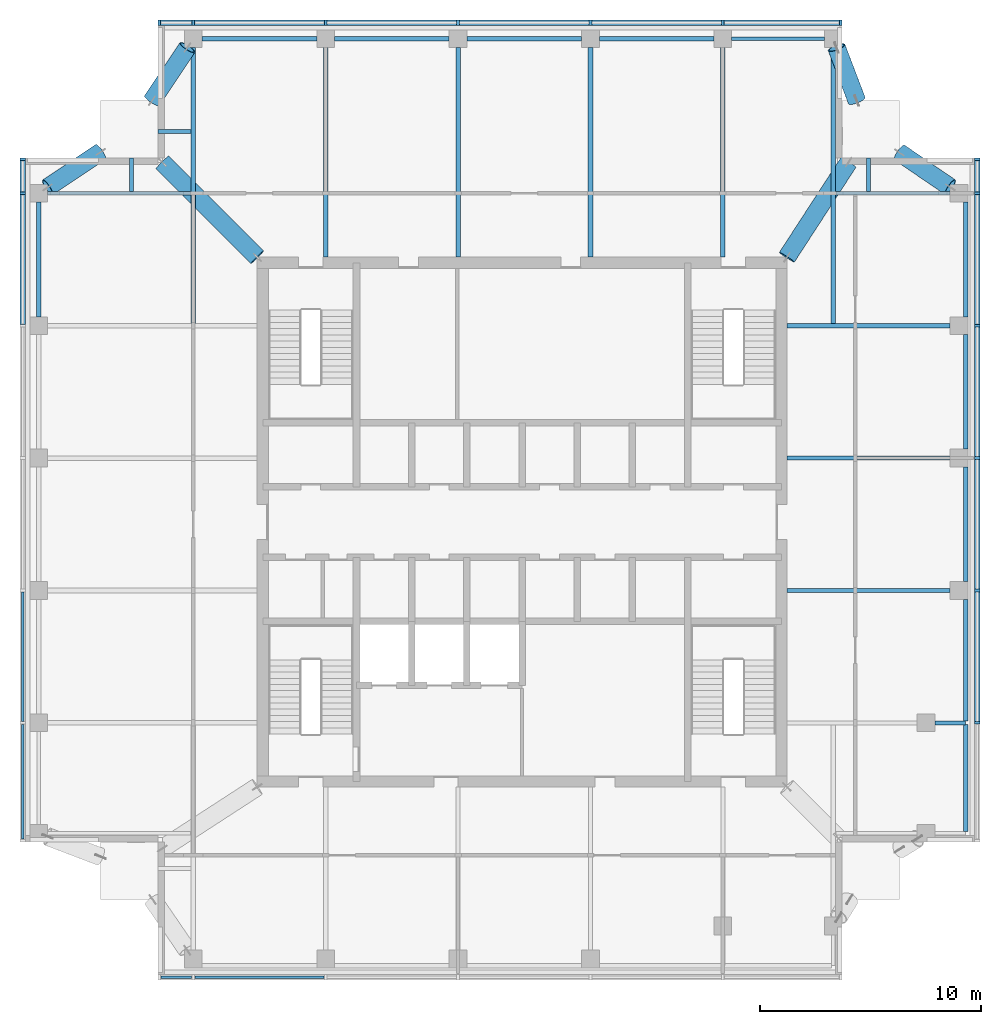
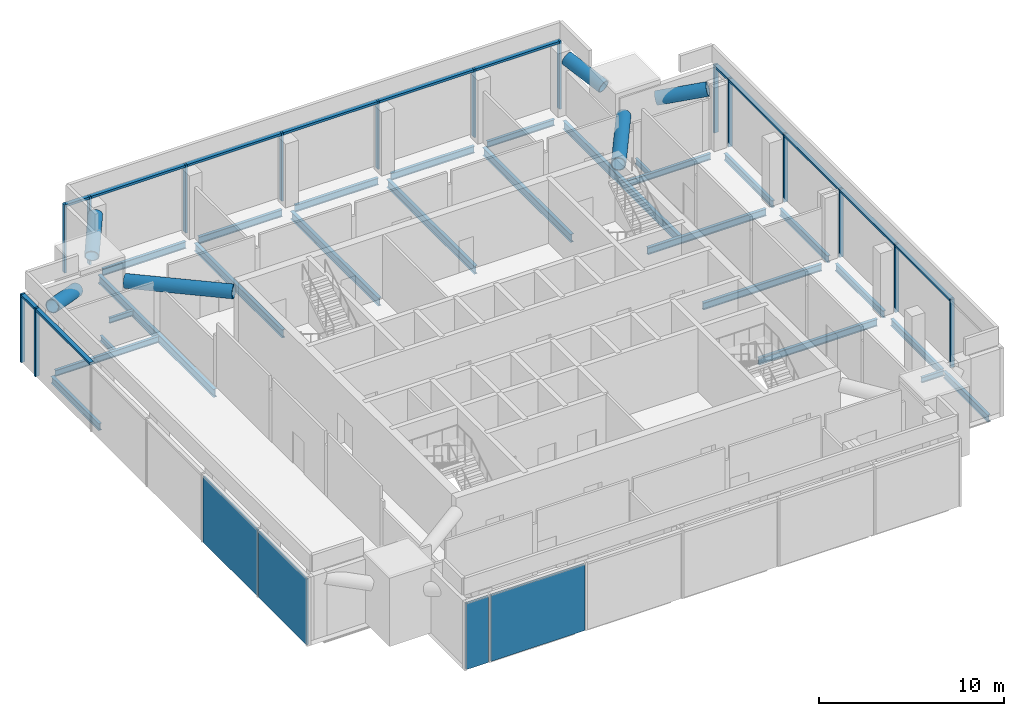
# One storey, part 2 of 11: 34 members, 26 beams, 4 plates, 4 elements without a shape of their own.
"""IFC4 building model written with IfcOpenShell, lengths in metres."""

from ifc_helpers import new_model, si_unit, direction, frame, origin, origin_2d, place, context, subcontext, project, spatial, rectangle, hollow_circle, i_section, extrude, material, layer, layer_set, material_profile, profile_set, type_object, element, aggregate, save


model = new_model("IFC4")

# Units and contexts
model_context = context("Model", 3, precision=1e-05, world=origin(), true_north=direction((0.0, 1.0)))
body_context = subcontext(model_context, "Body", "Model", "MODEL_VIEW")
ifc_project = project(units=[si_unit("LENGTHUNIT", "METRE"), si_unit("AREAUNIT", "SQUARE_METRE"), si_unit("VOLUMEUNIT", "CUBIC_METRE"), si_unit("PLANEANGLEUNIT", "RADIAN"), si_unit("MASSUNIT", "GRAM", prefix="KILO")], contexts=[model_context])

# Site, building, storey
site_placement = place(None, origin())
site = spatial("IfcSite", under=ifc_project, at=site_placement, CompositionType="ELEMENT")
building_placement = place(site_placement, origin())
building = spatial("IfcBuilding", under=site, at=building_placement, Name="Amberfall Residences", CompositionType="ELEMENT")
storey_placement = place(building_placement, frame((0.0, 0.0, 286.300048828125)))
storey = spatial("IfcBuildingStorey", under=building, at=storey_placement, Name="L77 Crown", CompositionType="ELEMENT", Elevation=286.300048828125)

# Members
ifc_material_1 = material(Name="Steel S355", Category="steel")
ifc_material_profile_1 = material_profile(ifc_material_1, hollow_circle(Radius=0.406494140625, WallThickness=0.050048828125, at=origin_2d()), Name="CHS 813x50")
ifc_profile_set_1 = profile_set([ifc_material_profile_1], Name="Steel S355")
member_type_1 = type_object("IfcMemberType", Name="Belt truss diagonal BT CHS 813x50", PredefinedType="BRACE", material=ifc_profile_set_1)
member_1_placement = place(storey_placement, frame((89.666748046875, 64.60009765625, 3.0), z_axis=(-0.342001732125, 0.897697470437, 0.277802208044), x_axis=(-0.934480204889, -0.356015093317, 0.0)))
element("IfcMember", 1, at=member_1_placement, inside=storey, type_object=member_type_1, Name="Belt truss diagonal BT5 L77 Crown NEN", PredefinedType="BRACE", context=body_context, shape_type="SweptSolid", body=[
    extrude(hollow_circle(Radius=0.406494140625, WallThickness=0.050048828125, at=origin_2d()), origin(), (0.0, 0.0, 1.0), 2.67333984375),
])
member_2_placement = place(storey_placement, frame((91.60009765625, 62.243896484375, 3.0), z_axis=(0.797885394177, -0.544967582392, 0.257661079521), x_axis=(0.564011218979, 0.825767125082, 0.0)))
element("IfcMember", 2, at=member_2_placement, inside=storey, type_object=member_type_1, Name="Belt truss diagonal BT5 L77 Crown NEE", PredefinedType="BRACE", context=body_context, shape_type="SweptSolid", body=[
    extrude(hollow_circle(Radius=0.406494140625, WallThickness=0.050048828125, at=origin_2d()), origin(), (0.0, 0.0, 1.0), 2.88232421875),
])
for number, where, z_axis, x_axis, name in (
    (3, (57.7333984375, 64.60009765625, 3.0), (0.537159166514, 0.805779735516, 0.249357269119), (-0.832063316463, 0.554680662541, 0.0), "Belt truss diagonal BT5 L77 Crown NWN"),
    (4, (55.39990234375, 62.2666015625, 3.0), (-0.805779735516, -0.537159166514, 0.249357269119), (0.554680662541, -0.832063316463, 0.0), "Belt truss diagonal BT5 L77 Crown NWW"),
):
    element("IfcMember", number, at=place(storey_placement, frame(where, z_axis=z_axis, x_axis=x_axis)), inside=storey, type_object=member_type_1, Name=name, PredefinedType="BRACE", context=body_context, shape_type="SweptSolid", body=[
        extrude(hollow_circle(Radius=0.406494140625, WallThickness=0.050048828125, at=origin_2d()), origin(), (0.0, 0.0, 1.0), 2.978271484375),
    ])

# Curtain wall, members
ifc_material_2 = material(Name="Bronze anodised aluminium and glass", Category="aluminium")
curtain_wall_type = type_object("IfcCurtainWallType", Name="Curtain wall CW6 crown louvre", PredefinedType="USERDEFINED", material=ifc_material_2)
curtain_wall_1_placement = place(storey_placement, origin())
curtain_wall_1 = element("IfcCurtainWall", 5, at=curtain_wall_1_placement, inside=storey, type_object=curtain_wall_type, Name="Curtain wall L77 Crown E E1", ObjectType="UNITISED CURTAIN WALL", PredefinedType="USERDEFINED")
ifc_material_3 = material(Name="Bronze anodised aluminium", Category="aluminium")
ifc_material_profile_2 = material_profile(ifc_material_3, rectangle(XDim=0.25, YDim=0.1201171875, at=origin_2d()), Name="CW6 mullion 120 x 250 bronze")
ifc_profile_set_2 = profile_set([ifc_material_profile_2], Name="Bronze anodised aluminium")
member_type_2 = type_object("IfcMemberType", Name="CW6 mullion 120 x 250 bronze", PredefinedType="MULLION", material=ifc_profile_set_2)
member_3_placement = place(storey_placement, frame((95.125, 36.39990234375, -0.300048828125), z_axis=(0.0, 0.0, 1.0), x_axis=(-1.0, 0.0, 0.0)))
member_3 = element("IfcMember", 6, at=member_3_placement, type_object=member_type_2, Name="CW6 mullion 2", PredefinedType="MULLION", context=body_context, shape_type="SweptSolid", body=[
    extrude(rectangle(XDim=0.25, YDim=0.1201171875, at=origin_2d()), origin(), (0.0, 0.0, 1.0), 4.5),
])
member_4_placement = place(storey_placement, frame((95.125, 42.39990234375, -0.300048828125), z_axis=(0.0, 0.0, 1.0), x_axis=(-1.0, 0.0, 0.0)))
member_4 = element("IfcMember", 7, at=member_4_placement, type_object=member_type_2, Name="CW6 mullion 3", PredefinedType="MULLION", context=body_context, shape_type="SweptSolid", body=[
    extrude(rectangle(XDim=0.25, YDim=0.1201171875, at=origin_2d()), origin(), (0.0, 0.0, 1.0), 4.5),
])
member_5_placement = place(storey_placement, frame((95.125, 48.39990234375, -0.300048828125), z_axis=(0.0, 0.0, 1.0), x_axis=(-1.0, 0.0, 0.0)))
member_5 = element("IfcMember", 8, at=member_5_placement, type_object=member_type_2, Name="CW6 mullion 4", PredefinedType="MULLION", context=body_context, shape_type="SweptSolid", body=[
    extrude(rectangle(XDim=0.25, YDim=0.1201171875, at=origin_2d()), origin(), (0.0, 0.0, 1.0), 4.5),
])
member_6_placement = place(storey_placement, frame((95.125, 54.39990234375, -0.300048828125), z_axis=(0.0, 0.0, 1.0), x_axis=(-1.0, 0.0, 0.0)))
member_6 = element("IfcMember", 9, at=member_6_placement, type_object=member_type_2, Name="CW6 mullion 5", PredefinedType="MULLION", context=body_context, shape_type="SweptSolid", body=[
    extrude(rectangle(XDim=0.25, YDim=0.1201171875, at=origin_2d()), origin(), (0.0, 0.0, 1.0), 4.5),
])
member_7_placement = place(storey_placement, frame((95.125, 60.39990234375, -0.300048828125), z_axis=(0.0, 0.0, 1.0), x_axis=(-1.0, 0.0, 0.0)))
member_7 = element("IfcMember", 10, at=member_7_placement, type_object=member_type_2, Name="CW6 mullion 6", PredefinedType="MULLION", context=body_context, shape_type="SweptSolid", body=[
    extrude(rectangle(XDim=0.25, YDim=0.1201171875, at=origin_2d()), origin(), (0.0, 0.0, 1.0), 4.5),
])
member_8_placement = place(storey_placement, frame((95.125, 61.93994140625, -0.300048828125), z_axis=(0.0, 0.0, 1.0), x_axis=(-1.0, 0.0, 0.0)))
member_8 = element("IfcMember", 11, at=member_8_placement, type_object=member_type_2, Name="CW6 mullion 7", PredefinedType="MULLION", context=body_context, shape_type="SweptSolid", body=[
    extrude(rectangle(XDim=0.25, YDim=0.1201171875, at=origin_2d()), origin(), (0.0, 0.0, 1.0), 4.5),
])

curtain_wall_2_placement = place(storey_placement, origin())
curtain_wall_2 = element("IfcCurtainWall", 12, at=curtain_wall_2_placement, inside=storey, type_object=curtain_wall_type, Name="Curtain wall L77 Crown N N1", ObjectType="UNITISED CURTAIN WALL", PredefinedType="USERDEFINED")
member_9_placement = place(storey_placement, frame((88.93994140625, 68.125, -0.300048828125), z_axis=(0.0, 0.0, 1.0), x_axis=(0.0, -1.0, 0.0)))
member_9 = element("IfcMember", 13, at=member_9_placement, type_object=member_type_2, Name="CW6 mullion 1", PredefinedType="MULLION", context=body_context, shape_type="SweptSolid", body=[
    extrude(rectangle(XDim=0.25, YDim=0.1201171875, at=origin_2d()), origin(), (0.0, 0.0, 1.0), 4.5),
])
member_10_placement = place(storey_placement, frame((83.60009765625, 68.125, -0.300048828125), z_axis=(0.0, 0.0, 1.0), x_axis=(0.0, -1.0, 0.0)))
member_10 = element("IfcMember", 14, at=member_10_placement, type_object=member_type_2, Name="CW6 mullion 2", PredefinedType="MULLION", context=body_context, shape_type="SweptSolid", body=[
    extrude(rectangle(XDim=0.25, YDim=0.1201171875, at=origin_2d()), origin(), (0.0, 0.0, 1.0), 4.5),
])
member_11_placement = place(storey_placement, frame((77.60009765625, 68.125, -0.300048828125), z_axis=(0.0, 0.0, 1.0), x_axis=(0.0, -1.0, 0.0)))
member_11 = element("IfcMember", 15, at=member_11_placement, type_object=member_type_2, Name="CW6 mullion 3", PredefinedType="MULLION", context=body_context, shape_type="SweptSolid", body=[
    extrude(rectangle(XDim=0.25, YDim=0.1201171875, at=origin_2d()), origin(), (0.0, 0.0, 1.0), 4.5),
])
member_12_placement = place(storey_placement, frame((71.60009765625, 68.125, -0.300048828125), z_axis=(0.0, 0.0, 1.0), x_axis=(0.0, -1.0, 0.0)))
member_12 = element("IfcMember", 16, at=member_12_placement, type_object=member_type_2, Name="CW6 mullion 4", PredefinedType="MULLION", context=body_context, shape_type="SweptSolid", body=[
    extrude(rectangle(XDim=0.25, YDim=0.1201171875, at=origin_2d()), origin(), (0.0, 0.0, 1.0), 4.5),
])
member_13_placement = place(storey_placement, frame((65.60009765625, 68.125, -0.300048828125), z_axis=(0.0, 0.0, 1.0), x_axis=(0.0, -1.0, 0.0)))
member_13 = element("IfcMember", 17, at=member_13_placement, type_object=member_type_2, Name="CW6 mullion 5", PredefinedType="MULLION", context=body_context, shape_type="SweptSolid", body=[
    extrude(rectangle(XDim=0.25, YDim=0.1201171875, at=origin_2d()), origin(), (0.0, 0.0, 1.0), 4.5),
])
member_14_placement = place(storey_placement, frame((59.60009765625, 68.125, -0.300048828125), z_axis=(0.0, 0.0, 1.0), x_axis=(0.0, -1.0, 0.0)))
member_14 = element("IfcMember", 18, at=member_14_placement, type_object=member_type_2, Name="CW6 mullion 6", PredefinedType="MULLION", context=body_context, shape_type="SweptSolid", body=[
    extrude(rectangle(XDim=0.25, YDim=0.1201171875, at=origin_2d()), origin(), (0.0, 0.0, 1.0), 4.5),
])
member_15_placement = place(storey_placement, frame((58.06005859375, 68.125, -0.300048828125), z_axis=(0.0, 0.0, 1.0), x_axis=(0.0, -1.0, 0.0)))
member_15 = element("IfcMember", 19, at=member_15_placement, type_object=member_type_2, Name="CW6 mullion 7", PredefinedType="MULLION", context=body_context, shape_type="SweptSolid", body=[
    extrude(rectangle(XDim=0.25, YDim=0.1201171875, at=origin_2d()), origin(), (0.0, 0.0, 1.0), 4.5),
])

curtain_wall_3_placement = place(storey_placement, origin())
curtain_wall_3 = element("IfcCurtainWall", 20, at=curtain_wall_3_placement, inside=storey, type_object=curtain_wall_type, Name="Curtain wall L77 Crown W W1", ObjectType="UNITISED CURTAIN WALL", PredefinedType="USERDEFINED")
member_16_placement = place(storey_placement, frame((51.875, 61.93994140625, -0.300048828125), z_axis=(0.0, 0.0, 1.0), x_axis=(1.0, 0.0, 0.0)))
member_16 = element("IfcMember", 21, at=member_16_placement, type_object=member_type_2, Name="CW6 mullion 1", PredefinedType="MULLION", context=body_context, shape_type="SweptSolid", body=[
    extrude(rectangle(XDim=0.25, YDim=0.1201171875, at=origin_2d()), origin(), (0.0, 0.0, 1.0), 4.5),
])
member_17_placement = place(storey_placement, frame((51.875, 60.39990234375, -0.300048828125), z_axis=(0.0, 0.0, 1.0), x_axis=(1.0, 0.0, 0.0)))
member_17 = element("IfcMember", 22, at=member_17_placement, type_object=member_type_2, Name="CW6 mullion 2", PredefinedType="MULLION", context=body_context, shape_type="SweptSolid", body=[
    extrude(rectangle(XDim=0.25, YDim=0.1201171875, at=origin_2d()), origin(), (0.0, 0.0, 1.0), 4.5),
])

# Member
ifc_material_profile_3 = material_profile(ifc_material_3, rectangle(XDim=0.25, YDim=0.14990234375, at=origin_2d()), Name="CW6 transom 250 x 150 bronze")
ifc_profile_set_3 = profile_set([ifc_material_profile_3], Name="Bronze anodised aluminium")
member_type_3 = type_object("IfcMemberType", Name="CW6 transom 250 x 150 bronze", PredefinedType="USERDEFINED", material=ifc_profile_set_3)
member_18_placement = place(storey_placement, frame((95.125, 36.4599609375, 4.125), z_axis=(0.0, 1.0, 0.0), x_axis=(-1.0, 0.0, 0.0)))
member_18 = element("IfcMember", 23, at=member_18_placement, type_object=member_type_3, Name="CW6 transom 2.1", ObjectType="TRANSOM", PredefinedType="USERDEFINED", context=body_context, shape_type="SweptSolid", body=[
    extrude(rectangle(XDim=0.25, YDim=0.14990234375, at=origin_2d()), origin(), (0.0, 0.0, 1.0), 5.880126953125),
])

member_19_placement = place(storey_placement, frame((95.125, 42.4599609375, 4.125), z_axis=(0.0, 1.0, 0.0), x_axis=(-1.0, 0.0, 0.0)))
member_19 = element("IfcMember", 24, at=member_19_placement, type_object=member_type_3, Name="CW6 transom 3.1", ObjectType="TRANSOM", PredefinedType="USERDEFINED", context=body_context, shape_type="SweptSolid", body=[
    extrude(rectangle(XDim=0.25, YDim=0.14990234375, at=origin_2d()), origin(), (0.0, 0.0, 1.0), 5.880126953125),
])

member_20_placement = place(storey_placement, frame((95.125, 48.4599609375, 4.125), z_axis=(0.0, 1.0, 0.0), x_axis=(-1.0, 0.0, 0.0)))
member_20 = element("IfcMember", 25, at=member_20_placement, type_object=member_type_3, Name="CW6 transom 4.1", ObjectType="TRANSOM", PredefinedType="USERDEFINED", context=body_context, shape_type="SweptSolid", body=[
    extrude(rectangle(XDim=0.25, YDim=0.14990234375, at=origin_2d()), origin(), (0.0, 0.0, 1.0), 5.880126953125),
])

member_21_placement = place(storey_placement, frame((95.125, 54.4599609375, 4.125), z_axis=(0.0, 1.0, 0.0), x_axis=(-1.0, 0.0, 0.0)))
member_21 = element("IfcMember", 26, at=member_21_placement, type_object=member_type_3, Name="CW6 transom 5.1", ObjectType="TRANSOM", PredefinedType="USERDEFINED", context=body_context, shape_type="SweptSolid", body=[
    extrude(rectangle(XDim=0.25, YDim=0.14990234375, at=origin_2d()), origin(), (0.0, 0.0, 1.0), 5.880126953125),
])

member_22_placement = place(storey_placement, frame((95.125, 60.4599609375, 4.125), z_axis=(0.0, 1.0, 0.0), x_axis=(-1.0, 0.0, 0.0)))
member_22 = element("IfcMember", 27, at=member_22_placement, type_object=member_type_3, Name="CW6 transom 6.1", ObjectType="TRANSOM", PredefinedType="USERDEFINED", context=body_context, shape_type="SweptSolid", body=[
    extrude(rectangle(XDim=0.25, YDim=0.14990234375, at=origin_2d()), origin(), (0.0, 0.0, 1.0), 1.419921875),
])

aggregate(curtain_wall_1, [member_3, member_4, member_5, member_6, member_7, member_8, member_18, member_19, member_20, member_21, member_22])

member_23_placement = place(storey_placement, frame((88.8798828125, 68.125, 4.125), z_axis=(-1.0, 0.0, 0.0), x_axis=(0.0, -1.0, 0.0)))
member_23 = element("IfcMember", 28, at=member_23_placement, type_object=member_type_3, Name="CW6 transom 1.1", ObjectType="TRANSOM", PredefinedType="USERDEFINED", context=body_context, shape_type="SweptSolid", body=[
    extrude(rectangle(XDim=0.25, YDim=0.14990234375, at=origin_2d()), origin(), (0.0, 0.0, 1.0), 5.219970703125),
])

member_24_placement = place(storey_placement, frame((83.5400390625, 68.125, 4.125), z_axis=(-1.0, 0.0, 0.0), x_axis=(0.0, -1.0, 0.0)))
member_24 = element("IfcMember", 29, at=member_24_placement, type_object=member_type_3, Name="CW6 transom 2.1", ObjectType="TRANSOM", PredefinedType="USERDEFINED", context=body_context, shape_type="SweptSolid", body=[
    extrude(rectangle(XDim=0.25, YDim=0.14990234375, at=origin_2d()), origin(), (0.0, 0.0, 1.0), 5.880126953125),
])

member_25_placement = place(storey_placement, frame((77.5400390625, 68.125, 4.125), z_axis=(-1.0, 0.0, 0.0), x_axis=(0.0, -1.0, 0.0)))
member_25 = element("IfcMember", 30, at=member_25_placement, type_object=member_type_3, Name="CW6 transom 3.1", ObjectType="TRANSOM", PredefinedType="USERDEFINED", context=body_context, shape_type="SweptSolid", body=[
    extrude(rectangle(XDim=0.25, YDim=0.14990234375, at=origin_2d()), origin(), (0.0, 0.0, 1.0), 5.880126953125),
])

member_26_placement = place(storey_placement, frame((71.5400390625, 68.125, 4.125), z_axis=(-1.0, 0.0, 0.0), x_axis=(0.0, -1.0, 0.0)))
member_26 = element("IfcMember", 31, at=member_26_placement, type_object=member_type_3, Name="CW6 transom 4.1", ObjectType="TRANSOM", PredefinedType="USERDEFINED", context=body_context, shape_type="SweptSolid", body=[
    extrude(rectangle(XDim=0.25, YDim=0.14990234375, at=origin_2d()), origin(), (0.0, 0.0, 1.0), 5.880126953125),
])

member_27_placement = place(storey_placement, frame((65.5400390625, 68.125, 4.125), z_axis=(-1.0, 0.0, 0.0), x_axis=(0.0, -1.0, 0.0)))
member_27 = element("IfcMember", 32, at=member_27_placement, type_object=member_type_3, Name="CW6 transom 5.1", ObjectType="TRANSOM", PredefinedType="USERDEFINED", context=body_context, shape_type="SweptSolid", body=[
    extrude(rectangle(XDim=0.25, YDim=0.14990234375, at=origin_2d()), origin(), (0.0, 0.0, 1.0), 5.880126953125),
])

member_28_placement = place(storey_placement, frame((59.5400390625, 68.125, 4.125), z_axis=(-1.0, 0.0, 0.0), x_axis=(0.0, -1.0, 0.0)))
member_28 = element("IfcMember", 33, at=member_28_placement, type_object=member_type_3, Name="CW6 transom 6.1", ObjectType="TRANSOM", PredefinedType="USERDEFINED", context=body_context, shape_type="SweptSolid", body=[
    extrude(rectangle(XDim=0.25, YDim=0.14990234375, at=origin_2d()), origin(), (0.0, 0.0, 1.0), 1.419921875),
])

aggregate(curtain_wall_2, [member_9, member_10, member_11, member_12, member_13, member_14, member_15, member_23, member_24, member_25, member_26, member_27, member_28])

member_29_placement = place(storey_placement, frame((51.875, 61.8798828125, 4.125), z_axis=(0.0, -1.0, 0.0), x_axis=(1.0, 0.0, 0.0)))
member_29 = element("IfcMember", 34, at=member_29_placement, type_object=member_type_3, Name="CW6 transom 1.1", ObjectType="TRANSOM", PredefinedType="USERDEFINED", context=body_context, shape_type="SweptSolid", body=[
    extrude(rectangle(XDim=0.25, YDim=0.14990234375, at=origin_2d()), origin(), (0.0, 0.0, 1.0), 1.419921875),
])

member_30_placement = place(storey_placement, frame((51.875, 60.340087890625, 4.125), z_axis=(0.0, -1.0, 0.0), x_axis=(1.0, 0.0, 0.0)))
member_30 = element("IfcMember", 35, at=member_30_placement, type_object=member_type_3, Name="CW6 transom 2.1", ObjectType="TRANSOM", PredefinedType="USERDEFINED", context=body_context, shape_type="SweptSolid", body=[
    extrude(rectangle(XDim=0.25, YDim=0.14990234375, at=origin_2d()), origin(), (0.0, 0.0, 1.0), 5.880126953125),
])

# Beams
ifc_material_profile_4 = material_profile(ifc_material_1, i_section(OverallWidth=0.171142578125, OverallDepth=0.351318359375, WebThickness=0.007080078125, FlangeThickness=0.009765625, FilletRadius=0.01025390625, at=origin_2d()), Name="UB 356x171x45")
ifc_profile_set_4 = profile_set([ifc_material_profile_4], Name="Steel S355")
beam_type_1 = type_object("IfcBeamType", Name="Cantilever girder UB 356x171x45", PredefinedType="BEAM", material=ifc_profile_set_4)
beam_1_placement = place(storey_placement, frame((93.199951171875, 36.39990234375, -0.475830078125), z_axis=(1.0, 0.0, 0.0), x_axis=(0.0, 1.0, 0.0)))
element("IfcBeam", 36, at=beam_1_placement, inside=storey, type_object=beam_type_1, Name="Cantilever girder B8 L77 Crown 20", PredefinedType="BEAM", context=body_context, shape_type="SweptSolid", body=[
    extrude(i_section(OverallWidth=0.171142578125, OverallDepth=0.351318359375, WebThickness=0.007080078125, FlangeThickness=0.009765625, FilletRadius=0.01025390625, at=origin_2d()), origin(), (0.0, 0.0, 1.0), 1.400146484375),
])
ifc_material_profile_5 = material_profile(ifc_material_1, i_section(OverallWidth=0.177734375, OverallDepth=0.402587890625, WebThickness=0.0078125, FlangeThickness=0.010986328125, FilletRadius=0.01025390625, at=origin_2d()), Name="UB 406x178x54")
ifc_profile_set_5 = profile_set([ifc_material_profile_5], Name="Steel S355")
beam_type_2 = type_object("IfcBeamType", Name="Edge beam UB 406x178x54", PredefinedType="SPANDREL", material=ifc_profile_set_5)
beam_2_placement = place(storey_placement, frame((84.0, 67.39990234375, -0.50146484375), z_axis=(1.0, 0.0, 0.0), x_axis=(0.0, 1.0, 0.0)))
element("IfcBeam", 37, at=beam_2_placement, inside=storey, type_object=beam_type_2, Name="Edge beam B14 L77 Crown 31", PredefinedType="SPANDREL", context=body_context, shape_type="SweptSolid", body=[
    extrude(i_section(OverallWidth=0.177734375, OverallDepth=0.402587890625, WebThickness=0.0078125, FlangeThickness=0.010986328125, FilletRadius=0.01025390625, at=origin_2d()), origin(), (0.0, 0.0, 1.0), 4.199951171875),
])
ifc_material_profile_6 = material_profile(ifc_material_1, i_section(OverallWidth=0.18994140625, OverallDepth=0.453369140625, WebThickness=0.008544921875, FlangeThickness=0.0126953125, FilletRadius=0.01025390625, at=origin_2d()), Name="UB 457x191x67")
ifc_profile_set_6 = profile_set([ifc_material_profile_6], Name="Steel S355")
beam_type_3 = type_object("IfcBeamType", Name="Edge beam UB 457x191x67", PredefinedType="SPANDREL", material=ifc_profile_set_6)
beam_3_placement = place(storey_placement, frame((94.60009765625, 31.47998046875, -0.52685546875), z_axis=(0.0, 1.0, 0.0), x_axis=(-1.0, 0.0, 0.0)))
element("IfcBeam", 38, at=beam_3_placement, inside=storey, type_object=beam_type_3, Name="Edge beam B1 L77 Crown 14", PredefinedType="SPANDREL", context=body_context, shape_type="SweptSolid", body=[
    extrude(i_section(OverallWidth=0.18994140625, OverallDepth=0.453369140625, WebThickness=0.008544921875, FlangeThickness=0.0126953125, FilletRadius=0.01025390625, at=origin_2d()), origin(), (0.0, 0.0, 1.0), 4.840087890625),
])
beam_4_placement = place(storey_placement, frame((94.60009765625, 36.47998046875, -0.52685546875), z_axis=(0.0, 1.0, 0.0), x_axis=(-1.0, 0.0, 0.0)))
element("IfcBeam", 39, at=beam_4_placement, inside=storey, type_object=beam_type_3, Name="Edge beam B1 L77 Crown 15", PredefinedType="SPANDREL", context=body_context, shape_type="SweptSolid", body=[
    extrude(i_section(OverallWidth=0.18994140625, OverallDepth=0.453369140625, WebThickness=0.008544921875, FlangeThickness=0.0126953125, FilletRadius=0.01025390625, at=origin_2d()), origin(), (0.0, 0.0, 1.0), 5.52001953125),
])
for number, where, z_axis, x_axis, name in (
    (40, (94.60009765625, 42.800048828125, -0.52685546875), (0.0, 1.0, 0.0), (-1.0, 0.0, 0.0), "Edge beam B1 L77 Crown 16"),
    (41, (94.60009765625, 48.800048828125, -0.52685546875), (0.0, 1.0, 0.0), (-1.0, 0.0, 0.0), "Edge beam B1 L77 Crown 17"),
    (42, (94.60009765625, 54.800048828125, -0.52685546875), (0.0, 1.0, 0.0), (-1.0, 0.0, 0.0), "Edge beam B1 L77 Crown 18"),
    (43, (60.0, 67.39990234375, -0.52685546875), (1.0, 0.0, 0.0), (0.0, 1.0, 0.0), "Edge beam B1 L77 Crown 27"),
    (44, (66.0, 67.39990234375, -0.52685546875), (1.0, 0.0, 0.0), (0.0, 1.0, 0.0), "Edge beam B1 L77 Crown 28"),
    (45, (72.0, 67.39990234375, -0.52685546875), (1.0, 0.0, 0.0), (0.0, 1.0, 0.0), "Edge beam B1 L77 Crown 29"),
    (46, (78.0, 67.39990234375, -0.52685546875), (1.0, 0.0, 0.0), (0.0, 1.0, 0.0), "Edge beam B1 L77 Crown 30"),
    (47, (52.60009765625, 54.800048828125, -0.52685546875), (0.0, 1.0, 0.0), (-1.0, 0.0, 0.0), "Edge beam B1 L77 Crown 42"),
):
    element("IfcBeam", number, at=place(storey_placement, frame(where, z_axis=z_axis, x_axis=x_axis)), inside=storey, type_object=beam_type_3, Name=name, PredefinedType="SPANDREL", context=body_context, shape_type="SweptSolid", body=[
        extrude(i_section(OverallWidth=0.18994140625, OverallDepth=0.453369140625, WebThickness=0.008544921875, FlangeThickness=0.0126953125, FilletRadius=0.01025390625, at=origin_2d()), origin(), (0.0, 0.0, 1.0), 5.199951171875),
    ])
ifc_material_profile_7 = material_profile(ifc_material_1, i_section(OverallWidth=0.177734375, OverallDepth=0.402587890625, WebThickness=0.0078125, FlangeThickness=0.010986328125, FilletRadius=0.01025390625, at=origin_2d()), Name="UB 406x178x54")
ifc_profile_set_7 = profile_set([ifc_material_profile_7], Name="Steel S355")
beam_type_4 = type_object("IfcBeamType", Name="Floor girder UB 406x178x54", PredefinedType="BEAM", material=ifc_profile_set_7)
beam_5_placement = place(storey_placement, frame((93.89990234375, 60.39990234375, -0.50146484375), z_axis=(-1.0, 0.0, 0.0), x_axis=(0.0, -1.0, 0.0)))
element("IfcBeam", 48, at=beam_5_placement, inside=storey, type_object=beam_type_4, Name="Floor girder B4 L77 Crown 26", PredefinedType="BEAM", context=body_context, shape_type="SweptSolid", body=[
    extrude(i_section(OverallWidth=0.177734375, OverallDepth=0.402587890625, WebThickness=0.0078125, FlangeThickness=0.010986328125, FilletRadius=0.01025390625, at=origin_2d()), origin(), (0.0, 0.0, 1.0), 5.179931640625),
])
beam_6_placement = place(storey_placement, frame((53.0, 60.39990234375, -0.50146484375), z_axis=(1.0, 0.0, 0.0), x_axis=(0.0, 1.0, 0.0)))
element("IfcBeam", 49, at=beam_6_placement, inside=storey, type_object=beam_type_4, Name="Floor girder B4 L77 Crown 48", PredefinedType="BEAM", context=body_context, shape_type="SweptSolid", body=[
    extrude(i_section(OverallWidth=0.177734375, OverallDepth=0.402587890625, WebThickness=0.0078125, FlangeThickness=0.010986328125, FilletRadius=0.01025390625, at=origin_2d()), origin(), (0.0, 0.0, 1.0), 6.47998046875),
])
ifc_material_profile_8 = material_profile(ifc_material_1, i_section(OverallWidth=0.19140625, OverallDepth=0.4599609375, WebThickness=0.010009765625, FlangeThickness=0.01611328125, FilletRadius=0.01025390625, at=origin_2d()), Name="UB 457x191x82")
ifc_profile_set_8 = profile_set([ifc_material_profile_8], Name="Steel S355")
beam_type_5 = type_object("IfcBeamType", Name="Floor girder UB 457x191x82", PredefinedType="BEAM", material=ifc_profile_set_8)
for number, where, z_axis, x_axis, name in (
    (50, (93.89990234375, 42.39990234375, -0.530029296875), (-1.0, 0.0, 0.0), (0.0, -1.0, 0.0), "Floor girder B10 L77 Crown 23"),
    (51, (93.89990234375, 48.39990234375, -0.530029296875), (-1.0, 0.0, 0.0), (0.0, -1.0, 0.0), "Floor girder B10 L77 Crown 24"),
    (52, (93.89990234375, 54.39990234375, -0.530029296875), (-1.0, 0.0, 0.0), (0.0, -1.0, 0.0), "Floor girder B10 L77 Crown 25"),
):
    element("IfcBeam", number, at=place(storey_placement, frame(where, z_axis=z_axis, x_axis=x_axis)), inside=storey, type_object=beam_type_5, Name=name, PredefinedType="BEAM", context=body_context, shape_type="SweptSolid", body=[
        extrude(i_section(OverallWidth=0.19140625, OverallDepth=0.4599609375, WebThickness=0.010009765625, FlangeThickness=0.01611328125, FilletRadius=0.01025390625, at=origin_2d()), origin(), (0.0, 0.0, 1.0), 7.39990234375),
    ])
ifc_material_profile_9 = material_profile(ifc_material_1, i_section(OverallWidth=0.210693359375, OverallDepth=0.53955078125, WebThickness=0.01171875, FlangeThickness=0.018798828125, FilletRadius=0.0126953125, at=origin_2d()), Name="UB 533x210x109")
ifc_profile_set_9 = profile_set([ifc_material_profile_9], Name="Steel S355")
beam_type_6 = type_object("IfcBeamType", Name="Floor girder UB 533x210x109", PredefinedType="BEAM", material=ifc_profile_set_9)
beam_7_placement = place(storey_placement, frame((59.60009765625, 67.0, -0.56982421875), z_axis=(0.0, -1.0, 0.0), x_axis=(1.0, 0.0, 0.0)))
element("IfcBeam", 53, at=beam_7_placement, inside=storey, type_object=beam_type_6, Name="Floor girder B2 L77 Crown 32", PredefinedType="BEAM", context=body_context, shape_type="SweptSolid", body=[
    extrude(i_section(OverallWidth=0.210693359375, OverallDepth=0.53955078125, WebThickness=0.01171875, FlangeThickness=0.018798828125, FilletRadius=0.0126953125, at=origin_2d()), origin(), (0.0, 0.0, 1.0), 12.50048828125),
])
beam_8_placement = place(storey_placement, frame((88.60009765625, 67.0, -0.56982421875), z_axis=(0.0, -1.0, 0.0), x_axis=(1.0, 0.0, 0.0)))
element("IfcBeam", 54, at=beam_8_placement, inside=storey, type_object=beam_type_6, Name="Floor girder B2 L77 Crown 37", PredefinedType="BEAM", context=body_context, shape_type="SweptSolid", body=[
    extrude(i_section(OverallWidth=0.210693359375, OverallDepth=0.53955078125, WebThickness=0.01171875, FlangeThickness=0.018798828125, FilletRadius=0.0126953125, at=origin_2d()), origin(), (0.0, 0.0, 1.0), 12.509521484375),
])
ifc_material_profile_10 = material_profile(ifc_material_1, i_section(OverallWidth=0.209228515625, OverallDepth=0.533203125, WebThickness=0.010009765625, FlangeThickness=0.015625, FilletRadius=0.0126953125, at=origin_2d()), Name="UB 533x210x92")
ifc_profile_set_10 = profile_set([ifc_material_profile_10], Name="Steel S355")
beam_type_7 = type_object("IfcBeamType", Name="Floor girder UB 533x210x92", PredefinedType="BEAM", material=ifc_profile_set_10)
for number, where, z_axis, x_axis, name in (
    (55, (65.60009765625, 67.0, -0.566650390625), (0.0, -1.0, 0.0), (1.0, 0.0, 0.0), "Floor girder B3 L77 Crown 33"),
    (56, (71.60009765625, 67.0, -0.566650390625), (0.0, -1.0, 0.0), (1.0, 0.0, 0.0), "Floor girder B3 L77 Crown 34"),
    (57, (77.60009765625, 67.0, -0.566650390625), (0.0, -1.0, 0.0), (1.0, 0.0, 0.0), "Floor girder B3 L77 Crown 35"),
    (58, (83.60009765625, 67.0, -0.566650390625), (0.0, -1.0, 0.0), (1.0, 0.0, 0.0), "Floor girder B3 L77 Crown 36"),
):
    element("IfcBeam", number, at=place(storey_placement, frame(where, z_axis=z_axis, x_axis=x_axis)), inside=storey, type_object=beam_type_7, Name=name, PredefinedType="BEAM", context=body_context, shape_type="SweptSolid", body=[
        extrude(i_section(OverallWidth=0.209228515625, OverallDepth=0.533203125, WebThickness=0.010009765625, FlangeThickness=0.015625, FilletRadius=0.0126953125, at=origin_2d()), origin(), (0.0, 0.0, 1.0), 9.5),
    ])

# Members
ifc_material_profile_11 = material_profile(ifc_material_1, hollow_circle(Radius=0.406494140625, WallThickness=0.050048828125, at=origin_2d()), Name="CHS 813x50")
ifc_profile_set_11 = profile_set([ifc_material_profile_11], Name="Steel S355")
member_type_4 = type_object("IfcMemberType", Name="Hat truss diagonal HT CHS 813x50", PredefinedType="BRACE", material=ifc_profile_set_11)
member_31_placement = place(storey_placement, frame((89.291259765625, 61.800048828125, 2.89990234375), z_axis=(-0.54281998638, -0.836236195234, 0.077817017203), x_axis=(0.838779661722, -0.544471008486, 0.0)))
element("IfcMember", 59, at=member_31_placement, inside=storey, type_object=member_type_4, Name="Hat truss diagonal HT1 L77 Crown NE", PredefinedType="BRACE", context=body_context, shape_type="SweptSolid", body=[
    extrude(hollow_circle(Radius=0.406494140625, WallThickness=0.050048828125, at=origin_2d()), origin(), (0.0, 0.0, 1.0), 5.14208984375),
])
member_32_placement = place(storey_placement, frame((58.199951171875, 61.800048828125, 2.89990234375), z_axis=(0.705580942036, -0.705580942036, 0.065658727304), x_axis=(0.707106781187, 0.707106781187, 0.0)))
element("IfcMember", 60, at=member_32_placement, inside=storey, type_object=member_type_4, Name="Hat truss diagonal HT1 L77 Crown NW", PredefinedType="BRACE", context=body_context, shape_type="SweptSolid", body=[
    extrude(hollow_circle(Radius=0.406494140625, WallThickness=0.050048828125, at=origin_2d()), origin(), (0.0, 0.0, 1.0), 6.09423828125),
])

# Beams
ifc_material_profile_12 = material_profile(ifc_material_1, i_section(OverallWidth=0.171142578125, OverallDepth=0.351318359375, WebThickness=0.007080078125, FlangeThickness=0.009765625, FilletRadius=0.01025390625, at=origin_2d()), Name="UB 356x171x45")
ifc_profile_set_12 = profile_set([ifc_material_profile_12], Name="Steel S355")
beam_type_8 = type_object("IfcBeamType", Name="Link beam UB 356x171x45", PredefinedType="BEAM", material=ifc_profile_set_12)
beam_9_placement = place(storey_placement, frame((90.199951171875, 62.0, -0.475830078125), z_axis=(0.0, -1.0, 0.0), x_axis=(1.0, 0.0, 0.0)))
element("IfcBeam", 61, at=beam_9_placement, inside=storey, type_object=beam_type_8, Name="Link beam B7 L77 Crown 50", PredefinedType="BEAM", context=body_context, shape_type="SweptSolid", body=[
    extrude(i_section(OverallWidth=0.171142578125, OverallDepth=0.351318359375, WebThickness=0.007080078125, FlangeThickness=0.009765625, FilletRadius=0.01025390625, at=origin_2d()), origin(), (0.0, 0.0, 1.0), 1.52099609375),
])
beam_10_placement = place(storey_placement, frame((58.0, 63.199951171875, -0.475830078125), z_axis=(1.0, 0.0, 0.0), x_axis=(0.0, 1.0, 0.0)))
element("IfcBeam", 62, at=beam_10_placement, inside=storey, type_object=beam_type_8, Name="Link beam B7 L77 Crown 51", PredefinedType="BEAM", context=body_context, shape_type="SweptSolid", body=[
    extrude(i_section(OverallWidth=0.171142578125, OverallDepth=0.351318359375, WebThickness=0.007080078125, FlangeThickness=0.009765625, FilletRadius=0.01025390625, at=origin_2d()), origin(), (0.0, 0.0, 1.0), 1.504638671875),
])
beam_11_placement = place(storey_placement, frame((56.800048828125, 62.0, -0.475830078125), z_axis=(0.0, -1.0, 0.0), x_axis=(1.0, 0.0, 0.0)))
element("IfcBeam", 63, at=beam_11_placement, inside=storey, type_object=beam_type_8, Name="Link beam B7 L77 Crown 52", PredefinedType="BEAM", context=body_context, shape_type="SweptSolid", body=[
    extrude(i_section(OverallWidth=0.171142578125, OverallDepth=0.351318359375, WebThickness=0.007080078125, FlangeThickness=0.009765625, FilletRadius=0.01025390625, at=origin_2d()), origin(), (0.0, 0.0, 1.0), 1.52099609375),
])

# Curtain wall, plates
curtain_wall_4_placement = place(storey_placement, origin())
curtain_wall_4 = element("IfcCurtainWall", 64, at=curtain_wall_4_placement, inside=storey, type_object=curtain_wall_type, Name="Curtain wall L77 Crown S S1", ObjectType="UNITISED CURTAIN WALL", PredefinedType="USERDEFINED")
ifc_material_4 = material(Name="Bronze aluminium louvre", Category="aluminium")
ifc_layer = layer(ifc_material_4, 0.1201171875)
ifc_layer_set = layer_set([ifc_layer], Name="CW6 panel 120 louvre")
plate_type = type_object("IfcPlateType", Name="CW6 panel 120 louvre", PredefinedType="CURTAIN_PANEL", material=ifc_layer_set)
plate_1_placement = place(storey_placement, frame((58.830078125, 24.875, -0.300048828125), z_axis=(0.0, 0.0, 1.0), x_axis=(1.0, 0.0, 0.0)))
plate_1 = element("IfcPlate", 65, at=plate_1_placement, type_object=plate_type, Name="CW6 panel 1.1", PredefinedType="CURTAIN_PANEL", context=body_context, shape_type="SweptSolid", body=[
    extrude(rectangle(XDim=1.39599609375, YDim=0.1201171875, at=origin_2d()), origin(), (0.0, 0.0, 1.0), 4.35009765625),
])
plate_2_placement = place(storey_placement, frame((62.60009765625, 24.875, -0.300048828125), z_axis=(0.0, 0.0, 1.0), x_axis=(1.0, 0.0, 0.0)))
plate_2 = element("IfcPlate", 66, at=plate_2_placement, type_object=plate_type, Name="CW6 panel 2.1", PredefinedType="CURTAIN_PANEL", context=body_context, shape_type="SweptSolid", body=[
    extrude(rectangle(XDim=5.85595703125, YDim=0.1201171875, at=origin_2d()), origin(), (0.0, 0.0, 1.0), 4.35009765625),
])
aggregate(curtain_wall_4, [plate_1, plate_2])

# Plate
plate_3_placement = place(storey_placement, frame((51.875, 39.39990234375, -0.300048828125), z_axis=(0.0, 0.0, 1.0), x_axis=(0.0, -1.0, 0.0)))
plate_3 = element("IfcPlate", 67, at=plate_3_placement, type_object=plate_type, Name="CW6 panel 5.1", PredefinedType="CURTAIN_PANEL", context=body_context, shape_type="SweptSolid", body=[
    extrude(rectangle(XDim=5.85595703125, YDim=0.1201171875, at=origin_2d()), origin(), (0.0, 0.0, 1.0), 4.35009765625),
])

plate_4_placement = place(storey_placement, frame((51.875, 33.72998046875, -0.300048828125), z_axis=(0.0, 0.0, 1.0), x_axis=(0.0, -1.0, 0.0)))
plate_4 = element("IfcPlate", 68, at=plate_4_placement, type_object=plate_type, Name="CW6 panel 6.1", PredefinedType="CURTAIN_PANEL", context=body_context, shape_type="SweptSolid", body=[
    extrude(rectangle(XDim=5.196044921875, YDim=0.1201171875, at=origin_2d()), origin(), (0.0, 0.0, 1.0), 4.35009765625),
])

aggregate(curtain_wall_3, [member_16, member_17, member_29, member_30, plate_3, plate_4])

save(model, "model.ifc")
